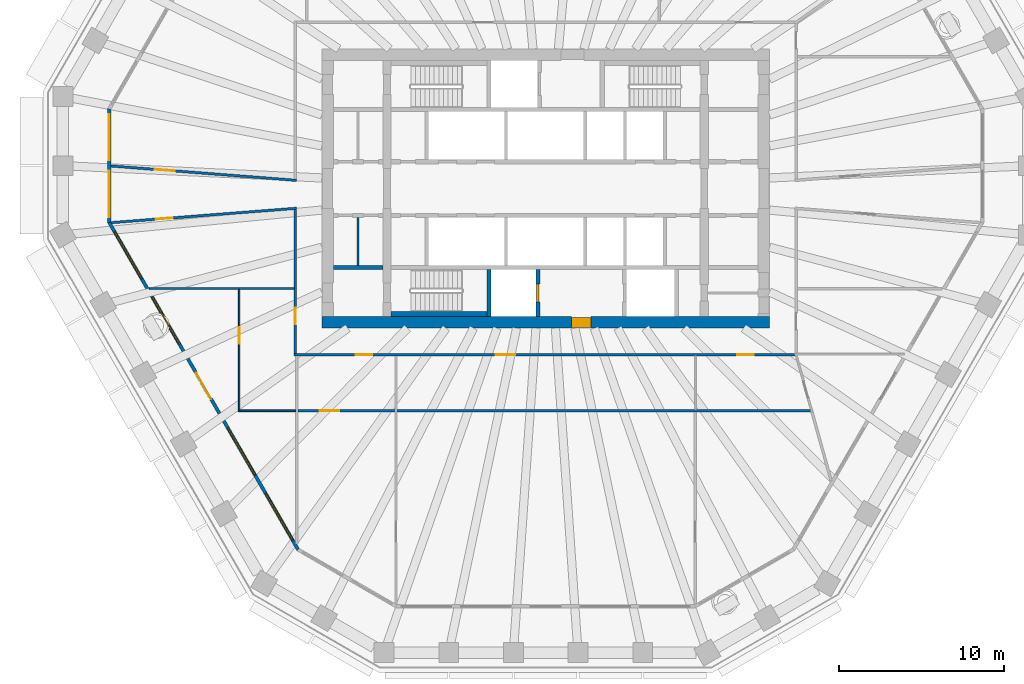
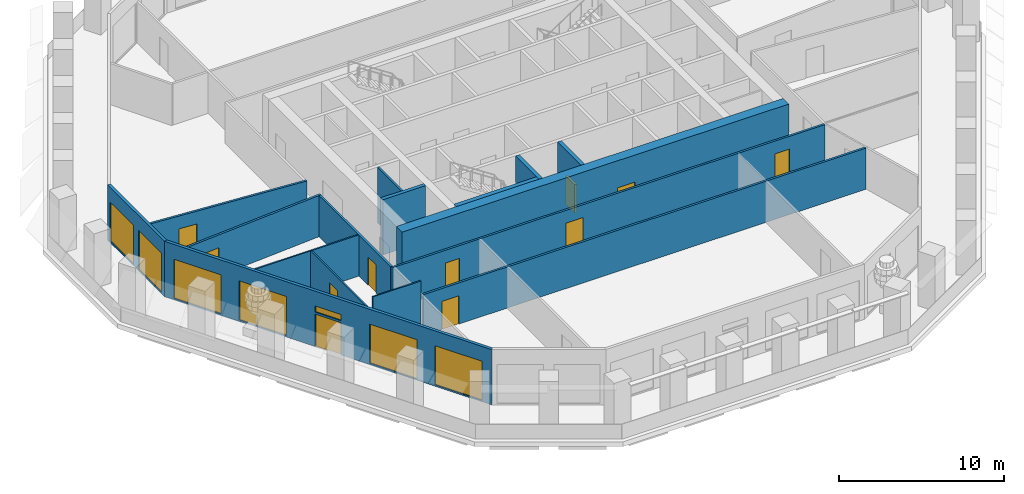
# One storey, part 3 of 12: 16 walls, 11 doors, 7 windows, 18 openings.
"""IFC4 building model written with IfcOpenShell, lengths in metres."""

from ifc_helpers import new_model, si_unit, direction, frame, frame_2d, origin, place, context, subcontext, project, spatial, polyline, rectangle, outline, extrude, material, layer, layer_set, type_object, element, fill, save


model = new_model("IFC4")

# Units and contexts
model_context = context("Model", 3, precision=1e-05, world=origin(), true_north=direction((0.0, 1.0)))
body_context = subcontext(model_context, "Body", "Model", "MODEL_VIEW")
ifc_project = project(units=[si_unit("LENGTHUNIT", "METRE"), si_unit("AREAUNIT", "SQUARE_METRE"), si_unit("VOLUMEUNIT", "CUBIC_METRE"), si_unit("PLANEANGLEUNIT", "RADIAN"), si_unit("MASSUNIT", "GRAM", prefix="KILO")], contexts=[model_context])

# Site, building, storey
site_placement = place(None, origin())
site = spatial("IfcSite", under=ifc_project, at=site_placement, CompositionType="ELEMENT")
building_placement = place(site_placement, origin())
building = spatial("IfcBuilding", under=site, at=building_placement, Name="Frailejon Research Tower", CompositionType="ELEMENT")
storey_placement = place(building_placement, frame((0.0, 0.0, 189.199951171875)))
storey = spatial("IfcBuildingStorey", under=building, at=storey_placement, Name="L41", CompositionType="ELEMENT", Elevation=189.199951171875)

# Wall
ifc_material_1 = material(Name="Plasterboard on steel studs", Category="steel")
ifc_layer_1 = layer(ifc_material_1, 0.125)
ifc_layer_set_1 = layer_set([ifc_layer_1], Name="Core partition 125")
wall_type_1 = type_object("IfcWallType", Name="Core partition 125", PredefinedType="PARTITIONING", material=ifc_layer_set_1)
wall_1_placement = place(storey_placement, frame((-11.35009765625, -4.64990234375, 0.0), z_axis=(0.0, 0.0, 1.0), x_axis=(0.0, 1.0, 0.0)))
element("IfcWall", 1, at=wall_1_placement, inside=storey, type_object=wall_type_1, Name="Core partition", PredefinedType="PARTITIONING", context=body_context, shape_type="SweptSolid", body=[
    extrude(rectangle(XDim=2.89990234375, YDim=0.125, at=frame_2d((1.449951171875, 0.0))), origin(), (0.0, 0.0, 1.0), 4.10009765625),
])

# Wall, opening, door
ifc_material_2 = material(Name="Concrete C60/75", Category="concrete")
ifc_layer_2 = layer(ifc_material_2, 0.699951171875)
ifc_layer_set_2 = layer_set([ifc_layer_2], Name="Core shear wall 700 C60/75")
wall_type_2 = type_object("IfcWallType", Name="Core shear wall 700 C60/75", PredefinedType="SHEAR", material=ifc_layer_set_2)
wall_2_placement = place(storey_placement, frame((-13.550048828125, -8.10009765625, 0.0), z_axis=(0.0, 0.0, 1.0), x_axis=(1.0, 0.0, 0.0)))
wall_2 = element("IfcWall", 2, at=wall_2_placement, inside=storey, type_object=wall_type_2, Name="Core shear wall", PredefinedType="SHEAR", context=body_context, shape_type="SweptSolid", body=[
    extrude(rectangle(XDim=27.10009765625, YDim=0.699951171875, at=frame_2d((13.550048828125, 0.0))), origin(), (0.0, 0.0, 1.0), 4.10009765625),
])
opening_1_placement = place(wall_2_placement, frame((15.10009765625, 0.0, 0.0)))
opening_1 = element("IfcOpeningElement", 3, at=opening_1_placement, cuts=wall_2, Name="Opening D3", PredefinedType="OPENING", context=body_context, shape_type="SweptSolid", body=[
    extrude(rectangle(XDim=1.199951171875, YDim=2.10009765625, at=frame_2d((0.60009765625, 1.050048828125))), frame((0.0, 0.35986328125, 0.0), z_axis=(0.0, -1.0, 0.0), x_axis=(1.0, 0.0, 0.0)), (0.0, 0.0, 1.0), 0.719970703125),
])
ifc_material_3 = material(Name="Steel", Category="steel")
door_type_1 = type_object("IfcDoorType", Name="Firefighting lobby door", OperationType="SINGLE_SWING_LEFT", PredefinedType="DOOR", material=ifc_material_3)
door_1_placement = place(opening_1_placement, origin())
door_1 = element("IfcDoor", 4, at=door_1_placement, inside=storey, type_object=door_type_1, Name="Firefighting lobby door", OperationType="SINGLE_SWING_RIGHT", OverallHeight=2.10009765625, OverallWidth=1.199951171875, PredefinedType="DOOR", context=body_context, shape_type="SweptSolid", body=[
    extrude(rectangle(XDim=1.199951171875, YDim=2.10009765625, at=frame_2d((0.60009765625, 1.050048828125))), frame((0.0, 0.300048828125, 0.0), z_axis=(0.0, -1.0, 0.0), x_axis=(1.0, 0.0, 0.0)), (0.0, 0.0, 1.0), 0.60009765625),
])
fill(opening_1, door_1)

ifc_material_4 = material(Name="Gypsum board and masonry partition", Category="masonry")
ifc_layer_3 = layer(ifc_material_4, 0.14990234375)
ifc_layer_set_3 = layer_set([ifc_layer_3], Name="Corridor wall EI 60, gypsum on steel studs 150")
wall_type_3 = type_object("IfcWallType", Name="Corridor wall EI 60, gypsum on steel studs 150", PredefinedType="PARTITIONING", material=ifc_layer_set_3)
wall_3_placement = place(storey_placement, frame((-15.14990234375, -9.97509765625, 0.0), z_axis=(0.0, 0.0, 1.0), x_axis=(0.0, 1.0, 0.0)))
wall_3 = element("IfcWall", 5, at=wall_3_placement, inside=storey, type_object=wall_type_3, Name="T:IW:L41:004", PredefinedType="PARTITIONING", context=body_context, shape_type="SweptSolid", body=[
    extrude(rectangle(XDim=8.70068359375, YDim=0.14990234375, at=frame_2d((4.350341796875, 0.0))), origin(), (0.0, 0.0, 1.0), 3.050048828125),
])
opening_2_placement = place(wall_3_placement, frame((1.770751953125, 0.0, 0.0)))
opening_2 = element("IfcOpeningElement", 6, at=opening_2_placement, cuts=wall_3, Name="Opening D1892", PredefinedType="OPENING", context=body_context, shape_type="SweptSolid", body=[
    extrude(rectangle(XDim=1.0, YDim=2.10009765625, at=frame_2d((0.5, 1.050048828125))), frame((0.0, 0.0849609375, 0.0), z_axis=(0.0, -1.0, 0.0), x_axis=(1.0, 0.0, 0.0)), (0.0, 0.0, 1.0), 0.169921875),
])
ifc_material_5 = material(Name="Timber door leaf", Category="wood")
door_type_2 = type_object("IfcDoorType", Name="Door single leaf, timber, steel frame 1000", OperationType="NOTDEFINED", PredefinedType="DOOR", material=ifc_material_5)
door_2_placement = place(opening_2_placement, origin())
door_2 = element("IfcDoor", 7, at=door_2_placement, inside=storey, type_object=door_type_2, Name="D1892", OperationType="SINGLE_SWING_RIGHT", OverallHeight=2.10009765625, OverallWidth=1.0, PredefinedType="DOOR", context=body_context, shape_type="SweptSolid", body=[
    extrude(rectangle(XDim=1.0, YDim=2.10009765625, at=frame_2d((0.5, 1.050048828125))), frame((0.0, 0.02490234375, 0.0), z_axis=(0.0, -1.0, 0.0), x_axis=(1.0, 0.0, 0.0)), (0.0, 0.0, 1.0), 0.050048828125),
])
fill(opening_2, door_2)

# Wall, openings, doors
wall_4_placement = place(storey_placement, frame((-15.22509765625, -10.050048828125, 0.0), z_axis=(0.0, 0.0, 1.0), x_axis=(1.0, 0.0, 0.0)))
wall_4 = element("IfcWall", 8, at=wall_4_placement, inside=storey, type_object=wall_type_3, Name="T:IW:L41:006", PredefinedType="PARTITIONING", context=body_context, shape_type="SweptSolid", body=[
    extrude(rectangle(XDim=30.3251953125, YDim=0.14990234375, at=frame_2d((15.16259765625, 0.0))), origin(), (0.0, 0.0, 1.0), 3.050048828125),
])
opening_3_placement = place(wall_4_placement, frame((3.741943359375, 0.0, 0.0)))
opening_3 = element("IfcOpeningElement", 9, at=opening_3_placement, cuts=wall_4, Name="Opening D1894", PredefinedType="OPENING", context=body_context, shape_type="SweptSolid", body=[
    extrude(rectangle(XDim=1.0, YDim=2.10009765625, at=frame_2d((0.5, 1.050048828125))), frame((0.0, 0.0849609375, 0.0), z_axis=(0.0, -1.0, 0.0), x_axis=(1.0, 0.0, 0.0)), (0.0, 0.0, 1.0), 0.169921875),
])
opening_4_placement = place(wall_4_placement, frame((12.192626953125, 0.0, 0.0)))
opening_4 = element("IfcOpeningElement", 10, at=opening_4_placement, cuts=wall_4, Name="Opening D1897", PredefinedType="OPENING", context=body_context, shape_type="SweptSolid", body=[
    extrude(rectangle(XDim=1.199951171875, YDim=2.10009765625, at=frame_2d((0.60009765625, 1.050048828125))), frame((0.0, 0.0849609375, 0.0), z_axis=(0.0, -1.0, 0.0), x_axis=(1.0, 0.0, 0.0)), (0.0, 0.0, 1.0), 0.169921875),
])
opening_5_placement = place(wall_4_placement, frame((26.8291015625, 0.0, 0.0)))
opening_5 = element("IfcOpeningElement", 11, at=opening_5_placement, cuts=wall_4, Name="Opening D1899", PredefinedType="OPENING", context=body_context, shape_type="SweptSolid", body=[
    extrude(rectangle(XDim=1.0, YDim=2.10009765625, at=frame_2d((0.5, 1.050048828125))), frame((0.0, 0.0849609375, 0.0), z_axis=(0.0, -1.0, 0.0), x_axis=(1.0, 0.0, 0.0)), (0.0, 0.0, 1.0), 0.169921875),
])
ifc_material_6 = material(Name="Timber door leaf", Category="wood")
door_type_3 = type_object("IfcDoorType", Name="Door laboratory, timber, vision panel 1000", OperationType="NOTDEFINED", PredefinedType="DOOR", material=ifc_material_6)
door_3_placement = place(opening_3_placement, origin())
door_3 = element("IfcDoor", 12, at=door_3_placement, inside=storey, type_object=door_type_3, Name="D1894", OperationType="SINGLE_SWING_RIGHT", OverallHeight=2.10009765625, OverallWidth=1.0, PredefinedType="DOOR", context=body_context, shape_type="SweptSolid", body=[
    extrude(rectangle(XDim=1.0, YDim=2.10009765625, at=frame_2d((0.5, 1.050048828125))), frame((0.0, 0.02490234375, 0.0), z_axis=(0.0, -1.0, 0.0), x_axis=(1.0, 0.0, 0.0)), (0.0, 0.0, 1.0), 0.050048828125),
])
fill(opening_3, door_3)
door_4_placement = place(opening_5_placement, origin())
door_4 = element("IfcDoor", 13, at=door_4_placement, inside=storey, type_object=door_type_2, Name="D1899", OperationType="SINGLE_SWING_LEFT", OverallHeight=2.10009765625, OverallWidth=1.0, PredefinedType="DOOR", context=body_context, shape_type="SweptSolid", body=[
    extrude(rectangle(XDim=1.0, YDim=2.10009765625, at=frame_2d((0.5, 1.050048828125))), frame((0.0, 0.02490234375, 0.0), z_axis=(0.0, -1.0, 0.0), x_axis=(1.0, 0.0, 0.0)), (0.0, 0.0, 1.0), 0.050048828125),
])
fill(opening_5, door_4)
ifc_material_7 = material(Name="Timber door leaf", Category="wood")
door_type_4 = type_object("IfcDoorType", Name="Door single leaf, timber, steel frame 1200", OperationType="NOTDEFINED", PredefinedType="DOOR", material=ifc_material_7)
door_5_placement = place(opening_4_placement, origin())
door_5 = element("IfcDoor", 14, at=door_5_placement, inside=storey, type_object=door_type_4, Name="D1897", OperationType="DOUBLE_DOOR_SINGLE_SWING", OverallHeight=2.10009765625, OverallWidth=1.199951171875, PredefinedType="DOOR", context=body_context, shape_type="SweptSolid", body=[
    extrude(rectangle(XDim=1.199951171875, YDim=2.10009765625, at=frame_2d((0.60009765625, 1.050048828125))), frame((0.0, 0.02490234375, 0.0), z_axis=(0.0, -1.0, 0.0), x_axis=(1.0, 0.0, 0.0)), (0.0, 0.0, 1.0), 0.050048828125),
])
fill(opening_4, door_5)

# Wall, opening, door
wall_5_placement = place(storey_placement, frame((-26.31103515625, 1.3671875, 0.0), z_axis=(0.0, 0.0, 1.0), x_axis=(0.996999820834, -0.077403858151, 0.0)))
wall_5 = element("IfcWall", 15, at=wall_5_placement, inside=storey, type_object=wall_type_3, Name="T:IW:L41:007", PredefinedType="PARTITIONING", context=body_context, shape_type="SweptSolid", body=[
    extrude(rectangle(XDim=11.26953125, YDim=0.14990234375, at=frame_2d((5.634765625, 0.0))), origin(), (0.0, 0.0, 1.0), 3.050048828125),
])
opening_6_placement = place(wall_5_placement, frame((2.673583984375, 0.0, 0.0)))
opening_6 = element("IfcOpeningElement", 16, at=opening_6_placement, cuts=wall_5, Name="Opening D1890", PredefinedType="OPENING", context=body_context, shape_type="SweptSolid", body=[
    extrude(rectangle(XDim=1.199951171875, YDim=2.10009765625, at=frame_2d((0.60009765625, 1.050048828125))), frame((0.0, 0.0849609375, 0.0), z_axis=(0.0, -1.0, 0.0), x_axis=(1.0, 0.0, 0.0)), (0.0, 0.0, 1.0), 0.169921875),
])
ifc_material_8 = material(Name="Timber door leaf", Category="wood")
door_type_5 = type_object("IfcDoorType", Name="Door laboratory, timber, vision panel 1200", OperationType="NOTDEFINED", PredefinedType="DOOR", material=ifc_material_8)
door_6_placement = place(opening_6_placement, origin())
door_6 = element("IfcDoor", 17, at=door_6_placement, inside=storey, type_object=door_type_5, Name="D1890", OperationType="DOUBLE_DOOR_SINGLE_SWING", OverallHeight=2.10009765625, OverallWidth=1.199951171875, PredefinedType="DOOR", context=body_context, shape_type="SweptSolid", body=[
    extrude(rectangle(XDim=1.199951171875, YDim=2.10009765625, at=frame_2d((0.60009765625, 1.050048828125))), frame((0.0, 0.02490234375, 0.0), z_axis=(0.0, -1.0, 0.0), x_axis=(1.0, 0.0, 0.0)), (0.0, 0.0, 1.0), 0.050048828125),
])
fill(opening_6, door_6)

wall_6_placement = place(storey_placement, frame((-26.2900390625, -2.064208984375, 0.0), z_axis=(0.0, 0.0, 1.0), x_axis=(0.997000362213, 0.077396884614, 0.0)))
wall_6 = element("IfcWall", 18, at=wall_6_placement, inside=storey, type_object=wall_type_3, Name="T:IW:L41:008", PredefinedType="PARTITIONING", context=body_context, shape_type="SweptSolid", body=[
    extrude(rectangle(XDim=11.24853515625, YDim=0.14990234375, at=frame_2d((5.624267578125, 0.0))), origin(), (0.0, 0.0, 1.0), 3.050048828125),
])
opening_7_placement = place(wall_6_placement, frame((2.718505859375, 0.0, 0.0)))
opening_7 = element("IfcOpeningElement", 19, at=opening_7_placement, cuts=wall_6, Name="Opening D1891", PredefinedType="OPENING", context=body_context, shape_type="SweptSolid", body=[
    extrude(rectangle(XDim=1.0, YDim=2.10009765625, at=frame_2d((0.5, 1.050048828125))), frame((0.0, 0.0849609375, 0.0), z_axis=(0.0, -1.0, 0.0), x_axis=(1.0, 0.0, 0.0)), (0.0, 0.0, 1.0), 0.169921875),
])
door_7_placement = place(opening_7_placement, origin())
door_7 = element("IfcDoor", 20, at=door_7_placement, inside=storey, type_object=door_type_2, Name="D1891", OperationType="SINGLE_SWING_LEFT", OverallHeight=2.10009765625, OverallWidth=1.0, PredefinedType="DOOR", context=body_context, shape_type="SweptSolid", body=[
    extrude(rectangle(XDim=1.0, YDim=2.10009765625, at=frame_2d((0.5, 1.050048828125))), frame((0.0, 0.02490234375, 0.0), z_axis=(0.0, -1.0, 0.0), x_axis=(1.0, 0.0, 0.0)), (0.0, 0.0, 1.0), 0.050048828125),
])
fill(opening_7, door_7)

ifc_material_9 = material(Name="Gypsum board and masonry partition", Category="masonry")
ifc_layer_4 = layer(ifc_material_9, 0.14990234375)
ifc_layer_set_4 = layer_set([ifc_layer_4], Name="Laboratory partition, blockwork 150")
wall_type_4 = type_object("IfcWallType", Name="Laboratory partition, blockwork 150", PredefinedType="PARTITIONING", material=ifc_layer_set_4)
wall_7_placement = place(storey_placement, frame((-14.983154296875, -13.449951171875, 0.0), z_axis=(0.0, 0.0, 1.0), x_axis=(1.0, 0.0, 0.0)))
wall_7 = element("IfcWall", 21, at=wall_7_placement, inside=storey, type_object=wall_type_4, Name="T:IW:L41:019", PredefinedType="PARTITIONING", context=body_context, shape_type="SweptSolid", body=[
    extrude(rectangle(XDim=31.004150390625, YDim=0.14990234375, at=frame_2d((15.501953125, 0.0))), origin(), (0.0, 0.0, 1.0), 3.050048828125),
])
opening_8_placement = place(wall_7_placement, frame((1.300048828125, 0.0, 0.0)))
opening_8 = element("IfcOpeningElement", 22, at=opening_8_placement, cuts=wall_7, Name="Opening D1895", PredefinedType="OPENING", context=body_context, shape_type="SweptSolid", body=[
    extrude(rectangle(XDim=1.199951171875, YDim=2.10009765625, at=frame_2d((0.60009765625, 1.050048828125))), frame((0.0, 0.0849609375, 0.0), z_axis=(0.0, -1.0, 0.0), x_axis=(1.0, 0.0, 0.0)), (0.0, 0.0, 1.0), 0.169921875),
])
door_8_placement = place(opening_8_placement, origin())
door_8 = element("IfcDoor", 23, at=door_8_placement, inside=storey, type_object=door_type_5, Name="D1895", OperationType="DOUBLE_DOOR_SINGLE_SWING", OverallHeight=2.10009765625, OverallWidth=1.199951171875, PredefinedType="DOOR", context=body_context, shape_type="SweptSolid", body=[
    extrude(rectangle(XDim=1.199951171875, YDim=2.10009765625, at=frame_2d((0.60009765625, 1.050048828125))), frame((0.0, 0.02490234375, 0.0), z_axis=(0.0, -1.0, 0.0), x_axis=(1.0, 0.0, 0.0)), (0.0, 0.0, 1.0), 0.050048828125),
])
fill(opening_8, door_8)

# Walls
ifc_material_10 = material(Name="Gypsum board and masonry partition", Category="masonry")
ifc_layer_5 = layer(ifc_material_10, 0.10009765625)
ifc_layer_set_5 = layer_set([ifc_layer_5], Name="Partition, gypsum on steel studs 100")
wall_type_5 = type_object("IfcWallType", Name="Partition, gypsum on steel studs 100", PredefinedType="PARTITIONING", material=ifc_layer_set_5)
wall_8_placement = place(storey_placement, frame((-23.989501953125, -6.048828125, 0.0), z_axis=(0.0, 0.0, 1.0), x_axis=(1.0, 0.0, 0.0)))
element("IfcWall", 24, at=wall_8_placement, inside=storey, type_object=wall_type_5, Name="T:IW:L41:024", PredefinedType="PARTITIONING", context=body_context, shape_type="SweptSolid", body=[
    extrude(rectangle(XDim=8.764404296875, YDim=0.10009765625, at=frame_2d((4.38232421875, 0.0))), origin(), (0.0, 0.0, 1.0), 3.050048828125),
])
wall_9_placement = place(storey_placement, frame((-18.5, -13.449951171875, 0.0), z_axis=(0.0, 0.0, 1.0), x_axis=(1.0, 0.0, 0.0)))
element("IfcWall", 25, at=wall_9_placement, inside=storey, type_object=wall_type_5, Name="T:IW:L41:025", PredefinedType="PARTITIONING", context=body_context, shape_type="SweptSolid", body=[
    extrude(rectangle(XDim=3.366943359375, YDim=0.10009765625, at=frame_2d((1.68359375, 0.0))), origin(), (0.0, 0.0, 1.0), 4.10009765625),
])

# Wall, opening, door
wall_10_placement = place(storey_placement, frame((-18.550048828125, -13.5, 0.0), z_axis=(0.0, 0.0, 1.0), x_axis=(0.0, 1.0, 0.0)))
wall_10 = element("IfcWall", 26, at=wall_10_placement, inside=storey, type_object=wall_type_5, Name="T:IW:L41:026", PredefinedType="PARTITIONING", context=body_context, shape_type="SweptSolid", body=[
    extrude(rectangle(XDim=7.401123046875, YDim=0.10009765625, at=frame_2d((3.70068359375, 0.0))), origin(), (0.0, 0.0, 1.0), 3.050048828125),
])
opening_9_placement = place(wall_10_placement, frame((4.105712890625, 0.0, 0.0)))
opening_9 = element("IfcOpeningElement", 27, at=opening_9_placement, cuts=wall_10, Name="Opening D1893", PredefinedType="OPENING", context=body_context, shape_type="SweptSolid", body=[
    extrude(rectangle(XDim=1.0, YDim=2.10009765625, at=frame_2d((0.5, 1.050048828125))), frame((0.0, 0.06005859375, 0.0), z_axis=(0.0, -1.0, 0.0), x_axis=(1.0, 0.0, 0.0)), (0.0, 0.0, 1.0), 0.1201171875),
])
door_9_placement = place(opening_9_placement, origin())
door_9 = element("IfcDoor", 28, at=door_9_placement, inside=storey, type_object=door_type_2, Name="D1893", OperationType="SINGLE_SWING_LEFT", OverallHeight=2.10009765625, OverallWidth=1.0, PredefinedType="DOOR", context=body_context, shape_type="SweptSolid", body=[
    extrude(rectangle(XDim=1.0, YDim=2.10009765625, at=frame_2d((0.5, 1.050048828125))), frame((0.0, 0.02490234375, 0.0), z_axis=(0.0, -1.0, 0.0), x_axis=(1.0, 0.0, 0.0)), (0.0, 0.0, 1.0), 0.050048828125),
])
fill(opening_9, door_9)

# Walls
ifc_material_11 = material(Name="Concrete C60/75", Category="concrete")
ifc_layer_6 = layer(ifc_material_11, 0.25)
ifc_layer_set_6 = layer_set([ifc_layer_6], Name="Shaft wall 250 C60/75")
wall_type_6 = type_object("IfcWallType", Name="Shaft wall 250 C60/75", PredefinedType="SOLIDWALL", material=ifc_layer_set_6)
wall_11_placement = place(storey_placement, frame((-12.85009765625, -4.77490234375, 0.0), z_axis=(0.0, 0.0, 1.0), x_axis=(1.0, 0.0, 0.0)))
element("IfcWall", 29, at=wall_11_placement, inside=storey, type_object=wall_type_6, Name="Shaft wall", PredefinedType="SOLIDWALL", context=body_context, shape_type="SweptSolid", body=[
    extrude(rectangle(XDim=3.0, YDim=0.25, at=frame_2d((1.5, 0.0))), origin(), (0.0, 0.0, 1.0), 4.10009765625),
])
wall_12_placement = place(storey_placement, frame((-3.425048828125, -7.75, 0.0), z_axis=(0.0, 0.0, 1.0), x_axis=(0.0, 1.0, 0.0)))
element("IfcWall", 30, at=wall_12_placement, inside=storey, type_object=wall_type_6, Name="Shaft wall", PredefinedType="SOLIDWALL", context=body_context, shape_type="SweptSolid", body=[
    extrude(rectangle(XDim=2.85009765625, YDim=0.25, at=frame_2d((1.425048828125, 0.0))), origin(), (0.0, 0.0, 1.0), 4.10009765625),
])

# Wall, opening, door
wall_13_placement = place(storey_placement, frame((-0.47509765625, -7.75, 0.0), z_axis=(0.0, 0.0, 1.0), x_axis=(0.0, 1.0, 0.0)))
wall_13 = element("IfcWall", 31, at=wall_13_placement, inside=storey, type_object=wall_type_6, Name="Shaft wall", PredefinedType="SOLIDWALL", context=body_context, shape_type="SweptSolid", body=[
    extrude(rectangle(XDim=2.85009765625, YDim=0.25, at=frame_2d((1.425048828125, 0.0))), origin(), (0.0, 0.0, 1.0), 4.10009765625),
])
opening_10_placement = place(wall_13_placement, frame((0.875, 0.0, 0.0)))
opening_10 = element("IfcOpeningElement", 32, at=opening_10_placement, cuts=wall_13, Name="Opening LD", PredefinedType="OPENING", context=body_context, shape_type="SweptSolid", body=[
    extrude(rectangle(XDim=1.10009765625, YDim=2.10009765625, at=frame_2d((0.550048828125, 1.050048828125))), frame((0.0, 0.135009765625, 0.0), z_axis=(0.0, -1.0, 0.0), x_axis=(1.0, 0.0, 0.0)), (0.0, 0.0, 1.0), 0.27001953125),
])
ifc_material_12 = material(Name="Steel", Category="steel")
door_type_6 = type_object("IfcDoorType", Name="Lift landing door", OperationType="DOUBLE_DOOR_SLIDING", PredefinedType="DOOR", material=ifc_material_12)
door_10_placement = place(opening_10_placement, origin())
door_10 = element("IfcDoor", 33, at=door_10_placement, inside=storey, type_object=door_type_6, Name="Lift landing door", OperationType="DOUBLE_DOOR_SLIDING", OverallHeight=2.10009765625, OverallWidth=1.10009765625, PredefinedType="DOOR", context=body_context, shape_type="SweptSolid", body=[
    extrude(rectangle(XDim=1.10009765625, YDim=2.10009765625, at=frame_2d((0.550048828125, 1.050048828125))), frame((0.0, 0.074951171875, 0.0), z_axis=(0.0, -1.0, 0.0), x_axis=(1.0, 0.0, 0.0)), (0.0, 0.0, 1.0), 0.14990234375),
])
fill(opening_10, door_10)

# Wall
ifc_material_13 = material(Name="Concrete C60/75", Category="concrete")
ifc_layer_7 = layer(ifc_material_13, 0.300048828125)
ifc_layer_set_7 = layer_set([ifc_layer_7], Name="Shaft wall 300 C60/75")
wall_type_7 = type_object("IfcWallType", Name="Shaft wall 300 C60/75", PredefinedType="SOLIDWALL", material=ifc_layer_set_7)
wall_14_placement = place(storey_placement, frame((-9.35009765625, -7.60009765625, 0.0), z_axis=(0.0, 0.0, 1.0), x_axis=(1.0, 0.0, 0.0)))
element("IfcWall", 34, at=wall_14_placement, inside=storey, type_object=wall_type_7, Name="Shaft wall", PredefinedType="SOLIDWALL", context=body_context, shape_type="SweptSolid", body=[
    extrude(rectangle(XDim=5.800048828125, YDim=0.300048828125, at=frame_2d((2.89990234375, 0.0))), origin(), (0.0, 0.0, 1.0), 4.10009765625),
])

# Wall, openings, windows
ifc_material_14 = material(Name="Concrete C40/50 precast window wall panel", Category="concrete")
ifc_layer_8 = layer(ifc_material_14, 0.199951171875)
ifc_layer_set_8 = layer_set([ifc_layer_8], Name="Window wall 200")
wall_type_8 = type_object("IfcWallType", Name="Window wall 200", PredefinedType="SOLIDWALL", material=ifc_layer_set_8)
wall_15_placement = place(storey_placement, frame((-26.4111328125, 4.820068359375, 0.0), z_axis=(0.0, 0.0, 1.0), x_axis=(0.0, -1.0, 0.0)))
wall_15 = element("IfcWall", 35, at=wall_15_placement, inside=storey, type_object=wall_type_8, Name="Exterior wall L41", PredefinedType="SOLIDWALL", context=body_context, shape_type="SweptSolid", body=[
    extrude(outline(polyline([(-0.02685546875, -0.10009765625), (1.1279296875, -0.10009765625), (2.28271484375, -0.10009765625), (3.4375, -0.10009765625), (4.592041015625, -0.10009765625), (5.746826171875, -0.10009765625), (6.901611328125, -0.10009765625), (6.847900390625, 0.10009765625), (5.7109375, 0.10009765625), (4.57421875, 0.10009765625), (3.4375, 0.10009765625), (2.300537109375, 0.10009765625), (1.16357421875, 0.10009765625), (0.02685546875, 0.10009765625), (-0.02685546875, -0.10009765625)])), origin(), (0.0, 0.0, 1.0), 4.10009765625),
])
opening_11_placement = place(wall_15_placement, frame((0.318603515625, 0.0, 0.10009765625)))
opening_11 = element("IfcOpeningElement", 36, at=opening_11_placement, cuts=wall_15, Name="Opening W3", PredefinedType="OPENING", context=body_context, shape_type="SweptSolid", body=[
    extrude(rectangle(XDim=2.800048828125, YDim=2.89990234375, at=frame_2d((1.39990234375, 1.449951171875))), frame((0.0, 0.10986328125, 0.0), z_axis=(0.0, -1.0, 0.0), x_axis=(1.0, 0.0, 0.0)), (0.0, 0.0, 1.0), 0.219970703125),
])
opening_12_placement = place(wall_15_placement, frame((3.756103515625, 0.0, 0.10009765625)))
opening_12 = element("IfcOpeningElement", 37, at=opening_12_placement, cuts=wall_15, Name="Opening W3", PredefinedType="OPENING", context=body_context, shape_type="SweptSolid", body=[
    extrude(rectangle(XDim=2.800048828125, YDim=2.89990234375, at=frame_2d((1.39990234375, 1.449951171875))), frame((0.0, 0.10986328125, 0.0), z_axis=(0.0, -1.0, 0.0), x_axis=(1.0, 0.0, 0.0)), (0.0, 0.0, 1.0), 0.219970703125),
])
ifc_material_15 = material(Name="Aluminium framed double glazing", Category="aluminium")
window_type_1 = type_object("IfcWindowType", Name="Window 2800x2900", PartitioningType="SINGLE_PANEL", PredefinedType="WINDOW", material=ifc_material_15)
window_1_placement = place(opening_11_placement, origin())
window_1 = element("IfcWindow", 38, at=window_1_placement, inside=storey, type_object=window_type_1, Name="Window L41", OverallHeight=2.89990234375, OverallWidth=2.800048828125, PartitioningType="SINGLE_PANEL", PredefinedType="WINDOW", context=body_context, shape_type="SweptSolid", body=[
    extrude(rectangle(XDim=2.800048828125, YDim=2.89990234375, at=frame_2d((1.39990234375, 1.449951171875))), frame((0.0, 0.030029296875, 0.0), z_axis=(0.0, -1.0, 0.0), x_axis=(1.0, 0.0, 0.0)), (0.0, 0.0, 1.0), 0.06005859375),
])
fill(opening_11, window_1)
window_2_placement = place(opening_12_placement, origin())
window_2 = element("IfcWindow", 39, at=window_2_placement, inside=storey, type_object=window_type_1, Name="Window L41", OverallHeight=2.89990234375, OverallWidth=2.800048828125, PartitioningType="SINGLE_PANEL", PredefinedType="WINDOW", context=body_context, shape_type="SweptSolid", body=[
    extrude(rectangle(XDim=2.800048828125, YDim=2.89990234375, at=frame_2d((1.39990234375, 1.449951171875))), frame((0.0, 0.030029296875, 0.0), z_axis=(0.0, -1.0, 0.0), x_axis=(1.0, 0.0, 0.0)), (0.0, 0.0, 1.0), 0.06005859375),
])
fill(opening_12, window_2)

# Wall, openings, door, windows
wall_16_placement = place(storey_placement, frame((-26.4111328125, -2.0546875, 0.0), z_axis=(0.0, 0.0, 1.0), x_axis=(0.50000204422, -0.86602422355, 0.0)))
wall_16 = element("IfcWall", 40, at=wall_16_placement, inside=storey, type_object=wall_type_8, Name="Exterior wall L41", PredefinedType="SOLIDWALL", context=body_context, shape_type="SweptSolid", body=[
    extrude(outline(polyline([(-0.02685546875, -0.10009765625), (1.014404296875, -0.10009765625), (2.055419921875, -0.10009765625), (3.0966796875, -0.10009765625), (4.137939453125, -0.10009765625), (5.17919921875, -0.10009765625), (6.22021484375, -0.10009765625), (7.261474609375, -0.10009765625), (8.302734375, -0.10009765625), (9.343994140625, -0.10009765625), (10.385009765625, -0.10009765625), (11.42626953125, -0.10009765625), (12.467529296875, -0.10009765625), (13.508544921875, -0.10009765625), (14.5498046875, -0.10009765625), (15.591064453125, -0.10009765625), (16.63232421875, -0.10009765625), (17.67333984375, -0.10009765625), (18.714599609375, -0.10009765625), (19.755859375, -0.10009765625), (20.797119140625, -0.10009765625), (21.838134765625, -0.10009765625), (22.87939453125, -0.10009765625), (22.82568359375, 0.10009765625), (21.789306640625, 0.10009765625), (20.753173828125, 0.10009765625), (19.716796875, 0.10009765625), (18.680419921875, 0.10009765625), (17.64404296875, 0.10009765625), (16.60791015625, 0.10009765625), (15.571533203125, 0.10009765625), (14.53515625, 0.10009765625), (13.498779296875, 0.10009765625), (12.462646484375, 0.10009765625), (11.42626953125, 0.10009765625), (10.389892578125, 0.10009765625), (9.353759765625, 0.10009765625), (8.3173828125, 0.10009765625), (7.281005859375, 0.10009765625), (6.24462890625, 0.10009765625), (5.20849609375, 0.10009765625), (4.172119140625, 0.10009765625), (3.1357421875, 0.10009765625), (2.099365234375, 0.10009765625), (1.063232421875, 0.10009765625), (0.02685546875, 0.10009765625), (-0.02685546875, -0.10009765625)])), origin(), (0.0, 0.0, 1.0), 4.10009765625),
])
opening_13_placement = place(wall_16_placement, frame((0.63525390625, 0.0, 0.10009765625)))
opening_13 = element("IfcOpeningElement", 41, at=opening_13_placement, cuts=wall_16, Name="Opening W5", PredefinedType="OPENING", context=body_context, shape_type="SweptSolid", body=[
    extrude(rectangle(XDim=3.300048828125, YDim=2.89990234375, at=frame_2d((1.64990234375, 1.449951171875))), frame((0.0, 0.10986328125, 0.0), z_axis=(0.0, -1.0, 0.0), x_axis=(1.0, 0.0, 0.0)), (0.0, 0.0, 1.0), 0.219970703125),
])
opening_14_placement = place(wall_16_placement, frame((5.205810546875, 0.0, 0.10009765625)))
opening_14 = element("IfcOpeningElement", 42, at=opening_14_placement, cuts=wall_16, Name="Opening W5", PredefinedType="OPENING", context=body_context, shape_type="SweptSolid", body=[
    extrude(rectangle(XDim=3.300048828125, YDim=2.89990234375, at=frame_2d((1.64990234375, 1.449951171875))), frame((0.0, 0.10986328125, 0.0), z_axis=(0.0, -1.0, 0.0), x_axis=(1.0, 0.0, 0.0)), (0.0, 0.0, 1.0), 0.219970703125),
])
opening_15_placement = place(wall_16_placement, frame((10.5263671875, 0.0, 0.0)))
opening_15 = element("IfcOpeningElement", 43, at=opening_15_placement, cuts=wall_16, Name="Opening LG41-4", PredefinedType="OPENING", context=body_context, shape_type="SweptSolid", body=[
    extrude(rectangle(XDim=1.800048828125, YDim=2.39990234375, at=frame_2d((0.89990234375, 1.199951171875))), frame((0.0, 0.10986328125, 0.0), z_axis=(0.0, -1.0, 0.0), x_axis=(1.0, 0.0, 0.0)), (0.0, 0.0, 1.0), 0.219970703125),
])
opening_16_placement = place(wall_16_placement, frame((10.5263671875, 0.0, 2.550048828125)))
opening_16 = element("IfcOpeningElement", 44, at=opening_16_placement, cuts=wall_16, Name="Opening W1", PredefinedType="OPENING", context=body_context, shape_type="SweptSolid", body=[
    extrude(rectangle(XDim=1.800048828125, YDim=0.449951171875, at=frame_2d((0.89990234375, 0.22509765625))), frame((0.0, 0.10986328125, 0.0), z_axis=(0.0, -1.0, 0.0), x_axis=(1.0, 0.0, 0.0)), (0.0, 0.0, 1.0), 0.219970703125),
])
opening_17_placement = place(wall_16_placement, frame((14.3466796875, 0.0, 0.10009765625)))
opening_17 = element("IfcOpeningElement", 45, at=opening_17_placement, cuts=wall_16, Name="Opening W5", PredefinedType="OPENING", context=body_context, shape_type="SweptSolid", body=[
    extrude(rectangle(XDim=3.300048828125, YDim=2.89990234375, at=frame_2d((1.64990234375, 1.449951171875))), frame((0.0, 0.10986328125, 0.0), z_axis=(0.0, -1.0, 0.0), x_axis=(1.0, 0.0, 0.0)), (0.0, 0.0, 1.0), 0.219970703125),
])
opening_18_placement = place(wall_16_placement, frame((18.917236328125, 0.0, 0.10009765625)))
opening_18 = element("IfcOpeningElement", 46, at=opening_18_placement, cuts=wall_16, Name="Opening W5", PredefinedType="OPENING", context=body_context, shape_type="SweptSolid", body=[
    extrude(rectangle(XDim=3.300048828125, YDim=2.89990234375, at=frame_2d((1.64990234375, 1.449951171875))), frame((0.0, 0.10986328125, 0.0), z_axis=(0.0, -1.0, 0.0), x_axis=(1.0, 0.0, 0.0)), (0.0, 0.0, 1.0), 0.219970703125),
])
ifc_material_16 = material(Name="Aluminium framed glazed door leaf", Category="aluminium")
door_type_7 = type_object("IfcDoorType", Name="Loggia door 1800x2400", OperationType="DOUBLE_DOOR_SINGLE_SWING", PredefinedType="DOOR", material=ifc_material_16)
door_11_placement = place(opening_15_placement, origin())
door_11 = element("IfcDoor", 47, at=door_11_placement, inside=storey, type_object=door_type_7, Name="Door LG41-4", OperationType="DOUBLE_DOOR_SINGLE_SWING", OverallHeight=2.39990234375, OverallWidth=1.800048828125, PredefinedType="DOOR", context=body_context, shape_type="SweptSolid", body=[
    extrude(rectangle(XDim=1.800048828125, YDim=2.39990234375, at=frame_2d((0.89990234375, 1.199951171875))), frame((0.0, 0.02490234375, 0.0), z_axis=(0.0, -1.0, 0.0), x_axis=(1.0, 0.0, 0.0)), (0.0, 0.0, 1.0), 0.050048828125),
])
fill(opening_15, door_11)
ifc_material_17 = material(Name="Aluminium framed double glazing", Category="aluminium")
window_type_2 = type_object("IfcWindowType", Name="Window 1800x450", PartitioningType="SINGLE_PANEL", PredefinedType="WINDOW", material=ifc_material_17)
window_3_placement = place(opening_16_placement, origin())
window_3 = element("IfcWindow", 48, at=window_3_placement, inside=storey, type_object=window_type_2, Name="Window L41", OverallHeight=0.449951171875, OverallWidth=1.800048828125, PartitioningType="SINGLE_PANEL", PredefinedType="WINDOW", context=body_context, shape_type="SweptSolid", body=[
    extrude(rectangle(XDim=1.800048828125, YDim=0.449951171875, at=frame_2d((0.89990234375, 0.22509765625))), frame((0.0, 0.030029296875, 0.0), z_axis=(0.0, -1.0, 0.0), x_axis=(1.0, 0.0, 0.0)), (0.0, 0.0, 1.0), 0.06005859375),
])
fill(opening_16, window_3)
ifc_material_18 = material(Name="Aluminium framed double glazing", Category="aluminium")
window_type_3 = type_object("IfcWindowType", Name="Window 3300x2900", PartitioningType="SINGLE_PANEL", PredefinedType="WINDOW", material=ifc_material_18)
window_4_placement = place(opening_13_placement, origin())
window_4 = element("IfcWindow", 49, at=window_4_placement, inside=storey, type_object=window_type_3, Name="Window L41", OverallHeight=2.89990234375, OverallWidth=3.300048828125, PartitioningType="SINGLE_PANEL", PredefinedType="WINDOW", context=body_context, shape_type="SweptSolid", body=[
    extrude(rectangle(XDim=3.300048828125, YDim=2.89990234375, at=frame_2d((1.64990234375, 1.449951171875))), frame((0.0, 0.030029296875, 0.0), z_axis=(0.0, -1.0, 0.0), x_axis=(1.0, 0.0, 0.0)), (0.0, 0.0, 1.0), 0.06005859375),
])
fill(opening_13, window_4)
window_5_placement = place(opening_14_placement, origin())
window_5 = element("IfcWindow", 50, at=window_5_placement, inside=storey, type_object=window_type_3, Name="Window L41", OverallHeight=2.89990234375, OverallWidth=3.300048828125, PartitioningType="SINGLE_PANEL", PredefinedType="WINDOW", context=body_context, shape_type="SweptSolid", body=[
    extrude(rectangle(XDim=3.300048828125, YDim=2.89990234375, at=frame_2d((1.64990234375, 1.449951171875))), frame((0.0, 0.030029296875, 0.0), z_axis=(0.0, -1.0, 0.0), x_axis=(1.0, 0.0, 0.0)), (0.0, 0.0, 1.0), 0.06005859375),
])
fill(opening_14, window_5)
window_6_placement = place(opening_17_placement, origin())
window_6 = element("IfcWindow", 51, at=window_6_placement, inside=storey, type_object=window_type_3, Name="Window L41", OverallHeight=2.89990234375, OverallWidth=3.300048828125, PartitioningType="SINGLE_PANEL", PredefinedType="WINDOW", context=body_context, shape_type="SweptSolid", body=[
    extrude(rectangle(XDim=3.300048828125, YDim=2.89990234375, at=frame_2d((1.64990234375, 1.449951171875))), frame((0.0, 0.030029296875, 0.0), z_axis=(0.0, -1.0, 0.0), x_axis=(1.0, 0.0, 0.0)), (0.0, 0.0, 1.0), 0.06005859375),
])
fill(opening_17, window_6)
window_7_placement = place(opening_18_placement, origin())
window_7 = element("IfcWindow", 52, at=window_7_placement, inside=storey, type_object=window_type_3, Name="Window L41", OverallHeight=2.89990234375, OverallWidth=3.300048828125, PartitioningType="SINGLE_PANEL", PredefinedType="WINDOW", context=body_context, shape_type="SweptSolid", body=[
    extrude(rectangle(XDim=3.300048828125, YDim=2.89990234375, at=frame_2d((1.64990234375, 1.449951171875))), frame((0.0, 0.030029296875, 0.0), z_axis=(0.0, -1.0, 0.0), x_axis=(1.0, 0.0, 0.0)), (0.0, 0.0, 1.0), 0.06005859375),
])
fill(opening_18, window_7)

save(model, "model.ifc")
